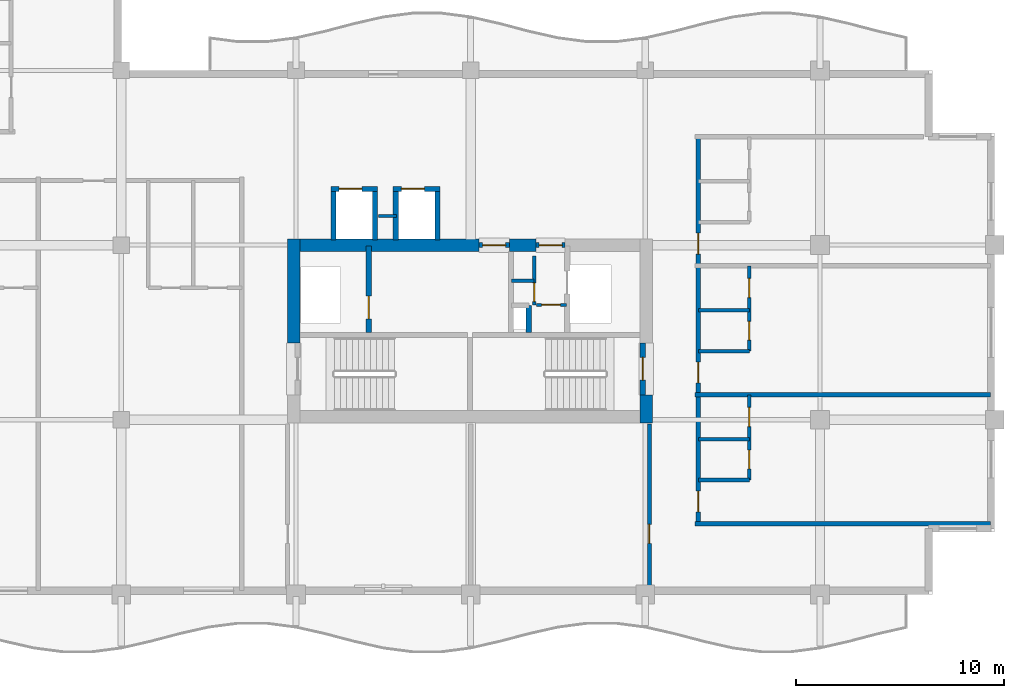
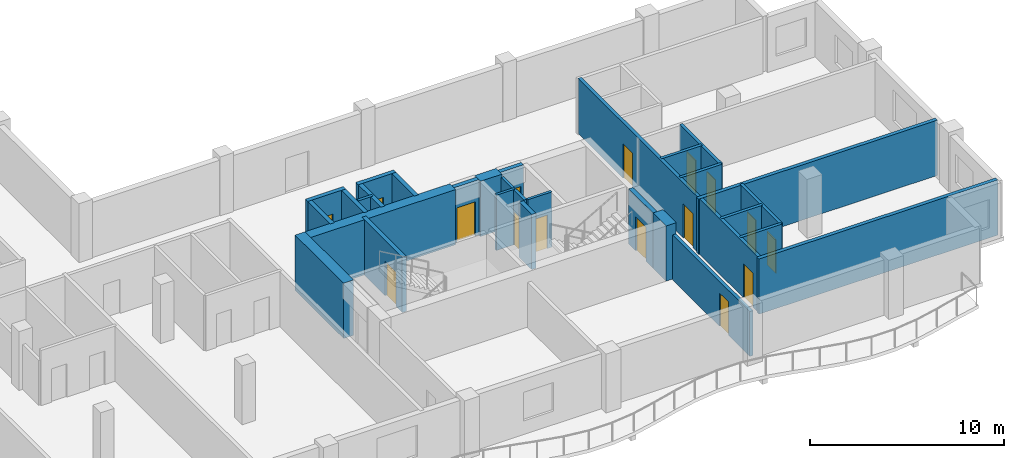
# One storey, part 4 of 12: 29 walls, 16 doors, 16 openings.
"""IFC4 building model written with IfcOpenShell, lengths in metres."""

import ifcopenshell
import ifcopenshell.guid

model = None  # the IFC model being written
_history = None  # IfcOwnerHistory: only IFC2X3 demands one
_inside = {}  # id of a spatial element -> (the spatial element, [elements in it])
_under = {}  # id of a project, library or spatial element -> (it, [spatial elements below it])
_declared = {}  # id of a project -> (the project, [libraries it declares])
_typed = {}  # id of a type object -> (the type object, [elements of that type])
_made_of = {}  # id of a material, layer set ... -> (it, [elements and type objects made of it])


def new_model(schema):
    """Start an empty IFC model of exactly this schema.

    Asked for "IFC4X3", IfcOpenShell would pick the latest addendum, in which some entities
    have other attributes; the version numbers below select the first issue.
    IFC2X3 requires an IfcOwnerHistory on every rooted entity: one is made here for all.
    """
    global model, _history
    if schema == "IFC4X3":
        model = ifcopenshell.file(schema_version=(4, 3, 0, 0))
    else:
        model = ifcopenshell.file(schema=schema)
    _inside.clear()
    _under.clear()
    _declared.clear()
    _typed.clear()
    _made_of.clear()
    _history = None
    if model.schema == "IFC2X3":
        org = make("IfcOrganization", Name="unknown")
        user = make(
            "IfcPersonAndOrganization",
            ThePerson=make("IfcPerson", FamilyName="unknown"),
            TheOrganization=org,
        )
        app = make(
            "IfcApplication",
            ApplicationDeveloper=org,
            Version="unknown",
            ApplicationFullName="unknown",
            ApplicationIdentifier="unknown",
        )
        _history = make(
            "IfcOwnerHistory",
            OwningUser=user,
            OwningApplication=app,
            ChangeAction="ADDED",
            CreationDate=0,
        )
    return model


def make(cls, **values):
    """One entity of the class cls with the attributes given. An attribute that is None is left unset."""
    return model.create_entity(
        cls, **{name: value for name, value in values.items() if value is not None}
    )


def rooted(cls, **values):
    """An entity with a GlobalId (a new one), such as an element, a storey or a relation."""
    return make(cls, GlobalId=ifcopenshell.guid.new(), OwnerHistory=_history, **values)


def si_unit(unit_type, name, prefix=None):
    """IfcSIUnit, for example si_unit("LENGTHUNIT", "METRE", prefix="MILLI")."""
    return make("IfcSIUnit", UnitType=unit_type, Prefix=prefix, Name=name)


def assignment(units):
    """IfcUnitAssignment: the units of a project."""
    return None if units is None else make("IfcUnitAssignment", Units=units)


def point(xyz):
    """IfcCartesianPoint."""
    return None if xyz is None else make("IfcCartesianPoint", Coordinates=xyz)


def direction(xyz):
    """IfcDirection."""
    return None if xyz is None else make("IfcDirection", DirectionRatios=xyz)


def frame(location, z_axis=None, x_axis=None):
    """IfcAxis2Placement3D, a coordinate frame: its origin and axes. An axis left out is left unset."""
    return make(
        "IfcAxis2Placement3D",
        Location=point(location),
        Axis=direction(z_axis),
        RefDirection=direction(x_axis),
    )


def frame_2d(location, x_axis=None):
    """IfcAxis2Placement2D, a coordinate frame in the plane: its origin and x axis."""
    return make(
        "IfcAxis2Placement2D", Location=point(location), RefDirection=direction(x_axis)
    )


def origin():
    """The frame at (0, 0, 0) with its axes left unset."""
    return frame((0.0, 0.0, 0.0))


def place(relative_to, where):
    """IfcLocalPlacement: puts the frame where relative to a parent placement (None: the world)."""
    return make(
        "IfcLocalPlacement", PlacementRelTo=relative_to, RelativePlacement=where
    )


def context(
    kind, dimensions, precision=None, world=None, true_north=None, identifier=None
):
    """IfcGeometricRepresentationContext, for example the 3D "Model" context."""
    return make(
        "IfcGeometricRepresentationContext",
        ContextIdentifier=identifier,
        ContextType=kind,
        CoordinateSpaceDimension=dimensions,
        Precision=precision,
        WorldCoordinateSystem=world,
        TrueNorth=true_north,
    )


def subcontext(parent, identifier, kind, view, scale=None):
    """IfcGeometricRepresentationSubContext, for example "Body" below "Model"."""
    return make(
        "IfcGeometricRepresentationSubContext",
        ContextIdentifier=identifier,
        ContextType=kind,
        ParentContext=parent,
        TargetScale=scale,
        TargetView=view,
    )


def project(units=None, contexts=None):
    """IfcProject with its units and contexts."""
    return rooted(
        "IfcProject",
        Name="project",
        RepresentationContexts=contexts,
        UnitsInContext=assignment(units),
    )


def spatial(cls, under=None, at=None, **own):
    """A site, building, storey or space (cls), placed at a placement, below another one or the project."""
    s = rooted(cls, ObjectPlacement=at, **own)
    if under is not None:
        _under.setdefault(under.id(), (under, []))[1].append(s)
    return s


def profile(cls, at=None, kind="AREA", **sizes):
    """A parametric profile (cls). Its sizes go by their IFC names, for example OverallWidth=200.0."""
    return make(cls, ProfileType=kind, Position=at, **sizes)


def rectangle(**sizes):
    """IfcRectangleProfileDef."""
    return profile("IfcRectangleProfileDef", **sizes)


def extrude(swept, where, along, depth):
    """IfcExtrudedAreaSolid: the profile swept, set in the frame where, extruded along a direction by depth."""
    return make(
        "IfcExtrudedAreaSolid",
        SweptArea=swept,
        Position=where,
        ExtrudedDirection=direction(along),
        Depth=depth,
    )


def shape(context_of_items, identifier, shape_type, items):
    """IfcShapeRepresentation: the items that make up one representation, for example the "Body"."""
    return make(
        "IfcShapeRepresentation",
        ContextOfItems=context_of_items,
        RepresentationIdentifier=identifier,
        RepresentationType=shape_type,
        Items=items,
    )


def material(Name=None, Category=None):
    """IfcMaterial."""
    return make("IfcMaterial", Name=Name, Category=Category)


def layer(
    of_material, thickness, ventilated=None, Name=None, Category=None, Priority=None
):
    """IfcMaterialLayer: one layer of a wall or slab, of a material (None: an air gap)."""
    return make(
        "IfcMaterialLayer",
        Material=of_material,
        LayerThickness=thickness,
        IsVentilated=ventilated,
        Name=Name,
        Category=Category,
        Priority=Priority,
    )


def layer_set(layers, Name=None):
    """IfcMaterialLayerSet."""
    return make("IfcMaterialLayerSet", MaterialLayers=layers, LayerSetName=Name)


def made_of(thing, what):
    """Note that an element or type object is made of a material, layer set ...; save() writes the relation."""
    if what is not None:
        _made_of.setdefault(what.id(), (what, []))[1].append(thing)
    return thing


def type_object(cls, material=None, **own):
    """A type object (cls), such as IfcWallType, which elements share."""
    return made_of(rooted(cls, **own), material)


def element(
    cls,
    number,
    at=None,
    inside=None,
    cuts=None,
    type_object=None,
    material=None,
    context=None,
    identifier="Body",
    shape_type=None,
    held_by="IfcProductDefinitionShape",
    body=None,
    shapes=None,
    **own,
):
    """One element of the class cls, such as IfcWall. Its Tag is "e" and its number.

    at: its placement. inside: the storey or other place that contains it. cuts: it is an
    opening in that element (IfcRelVoidsElement). A single representation is given by context,
    identifier, shape_type and body (its items); several are given by shapes. held_by: the class
    of the entity that holds the representations. save() writes the other relations.
    """
    e = rooted(cls, Tag="e%d" % number, ObjectPlacement=at, **own)
    if body is not None:
        shapes = [shape(context, identifier, shape_type, body)]
    if shapes is not None:
        e.Representation = make(held_by, Representations=shapes)
    if inside is not None:
        _inside.setdefault(inside.id(), (inside, []))[1].append(e)
    if cuts is not None:
        rooted(
            "IfcRelVoidsElement", RelatingBuildingElement=cuts, RelatedOpeningElement=e
        )
    if type_object is not None:
        _typed.setdefault(type_object.id(), (type_object, []))[1].append(e)
    return made_of(e, material)


def fill(opening, filler):
    """IfcRelFillsElement: the door or window that sits in an opening."""
    return rooted(
        "IfcRelFillsElement",
        RelatingOpeningElement=opening,
        RelatedBuildingElement=filler,
    )


def aggregate(whole, parts):
    """IfcRelAggregates: a whole, such as a stair, and the parts it consists of."""
    return rooted("IfcRelAggregates", RelatingObject=whole, RelatedObjects=parts)


def save(model, path):
    """Write the relations noted so far, then the file.

    IfcRelAggregates (storeys below a building ...), IfcRelContainedInSpatialStructure (elements
    in a storey), IfcRelDefinesByType, IfcRelAssociatesMaterial and IfcRelDeclares: one each for
    every whole, place, type object, material and project.
    """
    for whole, parts in _under.values():
        aggregate(whole, parts)
    for where, things in _inside.values():
        rooted(
            "IfcRelContainedInSpatialStructure",
            RelatedElements=things,
            RelatingStructure=where,
        )
    for kind, things in _typed.values():
        rooted("IfcRelDefinesByType", RelatedObjects=things, RelatingType=kind)
    for what, things in _made_of.values():
        rooted("IfcRelAssociatesMaterial", RelatedObjects=things, RelatingMaterial=what)
    for by, libraries in _declared.values():
        rooted("IfcRelDeclares", RelatingContext=by, RelatedDefinitions=libraries)
    model.write(path)


model = new_model("IFC4")

# Units and contexts
model_context = context("Model", 3, precision=1e-05, world=origin(), true_north=direction((0.0, 1.0)))
body_context = subcontext(model_context, "Body", "Model", "MODEL_VIEW")
ifc_project = project(units=[si_unit("LENGTHUNIT", "METRE"), si_unit("AREAUNIT", "SQUARE_METRE"), si_unit("VOLUMEUNIT", "CUBIC_METRE"), si_unit("PLANEANGLEUNIT", "RADIAN"), si_unit("MASSUNIT", "GRAM", prefix="KILO")], contexts=[model_context])

# Site, building, storey
site_placement = place(None, origin())
site = spatial("IfcSite", under=ifc_project, at=site_placement, CompositionType="ELEMENT")
building_placement = place(site_placement, origin())
building = spatial("IfcBuilding", under=site, at=building_placement, Name="Koriwani Terraces Tower", CompositionType="ELEMENT")
storey_placement = place(building_placement, frame((0.0, 0.0, 241.60009765625)))
storey = spatial("IfcBuildingStorey", under=building, at=storey_placement, Name="L59", CompositionType="ELEMENT", Elevation=241.60009765625)

# Walls
ifc_material_1 = material(Name="Concrete C60/75", Category="concrete")
ifc_layer_1 = layer(ifc_material_1, 0.60009765625, Name="Concrete C60/75")
ifc_layer_set_1 = layer_set([ifc_layer_1], Name="Concrete C60/75")
wall_type_1 = type_object("IfcWallType", Name="WALL_CORE_RC_600", PredefinedType="SHEAR", material=ifc_layer_set_1)
wall_1_placement = place(storey_placement, frame((41.89990234375, 20.5, 0.0), z_axis=(0.0, 0.0, 1.0), x_axis=(0.0, 1.0, 0.0)))
element("IfcWall", 1, at=wall_1_placement, inside=storey, type_object=wall_type_1, Name="L59 East Split Core Shear Wall W2", PredefinedType="SHEAR", context=body_context, shape_type="SweptSolid", body=[
    extrude(rectangle(XDim=5.0, YDim=0.60009765625, at=frame_2d((2.5, 0.0))), origin(), (0.0, 0.0, 1.0), 3.469970703125),
])
wall_2_placement = place(storey_placement, frame((58.85009765625, 16.64990234375, 0.0), z_axis=(0.0, 0.0, 1.0), x_axis=(0.0, 1.0, 0.0)))
element("IfcWall", 2, at=wall_2_placement, inside=storey, type_object=wall_type_1, Name="L59 East Split Core Shear Wall E1", PredefinedType="SHEAR", context=body_context, shape_type="SweptSolid", body=[
    extrude(rectangle(XDim=1.35009765625, YDim=0.60009765625, at=frame_2d((0.675048828125, 0.0))), origin(), (0.0, 0.0, 1.0), 3.469970703125),
])
wall_3_placement = place(storey_placement, frame((42.199951171875, 25.199951171875, 0.0), z_axis=(0.0, 0.0, 1.0), x_axis=(1.0, 0.0, 0.0)))
element("IfcWall", 3, at=wall_3_placement, inside=storey, type_object=wall_type_1, Name="L59 East Split Core Shear Wall N1", PredefinedType="SHEAR", context=body_context, shape_type="SweptSolid", body=[
    extrude(rectangle(XDim=8.60009765625, YDim=0.60009765625, at=frame_2d((4.300048828125, 0.0))), origin(), (0.0, 0.0, 1.0), 3.469970703125),
])
wall_4_placement = place(storey_placement, frame((52.280029296875, 25.199951171875, 0.0), z_axis=(0.0, 0.0, 1.0), x_axis=(1.0, 0.0, 0.0)))
element("IfcWall", 4, at=wall_4_placement, inside=storey, type_object=wall_type_1, Name="L59 East Split Core Shear Wall N2", PredefinedType="SHEAR", context=body_context, shape_type="SweptSolid", body=[
    extrude(rectangle(XDim=1.27001953125, YDim=0.60009765625, at=frame_2d((0.635009765625, 0.0))), origin(), (0.0, 0.0, 1.0), 3.469970703125),
])

# Wall, opening, door
ifc_material_2 = material(Name="Autoclaved Cellular Concrete Blockwork", Category="masonry")
ifc_layer_2 = layer(ifc_material_2, 0.199951171875, Name="Autoclaved Cellular Concrete Blockwork")
ifc_layer_set_2 = layer_set([ifc_layer_2], Name="Autoclaved Cellular Concrete Blockwork")
wall_type_2 = type_object("IfcWallType", Name="WALL_CORRIDOR_200", PredefinedType="PARTITIONING", material=ifc_layer_set_2)
wall_5_placement = place(storey_placement, frame((59.0, 8.64990234375, 0.0), z_axis=(0.0, 0.0, 1.0), x_axis=(0.0, 1.0, 0.0)))
wall_5 = element("IfcWall", 5, at=wall_5_placement, inside=storey, type_object=wall_type_2, Name="L59 Interior Wall WRZ4-EE-L59", PredefinedType="PARTITIONING", context=body_context, shape_type="SweptSolid", body=[
    extrude(rectangle(XDim=7.9501953125, YDim=0.199951171875, at=frame_2d((3.97509765625, 0.0))), origin(), (0.0, 0.0, 1.0), 2.81982421875),
])
opening_1_placement = place(wall_5_placement, frame((2.199951171875, 0.0, 0.0)))
opening_1 = element("IfcOpeningElement", 6, at=opening_1_placement, cuts=wall_5, Name="Opening D-06", PredefinedType="OPENING", context=body_context, shape_type="SweptSolid", body=[
    extrude(rectangle(XDim=0.919921875, YDim=2.10009765625, at=frame_2d((0.4599609375, 1.050048828125))), frame((0.0, 0.10986328125, 0.0), z_axis=(0.0, -1.0, 0.0), x_axis=(1.0, 0.0, 0.0)), (0.0, 0.0, 1.0), 0.219970703125),
])
ifc_material_3 = material(Name="Architectural Oak Fire Door", Category="wood")
door_type_1 = type_object("IfcDoorType", Name="DOOR_ROOM_INT_920X2100", OperationType="NOTDEFINED", PredefinedType="DOOR", material=ifc_material_3)
door_1_placement = place(opening_1_placement, origin())
door_1 = element("IfcDoor", 7, at=door_1_placement, inside=storey, type_object=door_type_1, Name="L59 Resident Laundry Room Door", OperationType="SINGLE_SWING_RIGHT", OverallHeight=2.10009765625, OverallWidth=0.919921875, PredefinedType="DOOR", context=body_context, shape_type="SweptSolid", body=[
    extrude(rectangle(XDim=0.919921875, YDim=2.10009765625, at=frame_2d((0.4599609375, 1.050048828125))), frame((0.0, 0.02490234375, 0.0), z_axis=(0.0, -1.0, 0.0), x_axis=(1.0, 0.0, 0.0)), (0.0, 0.0, 1.0), 0.050048828125),
])
fill(opening_1, door_1)

# Wall, openings, doors
wall_6_placement = place(storey_placement, frame((61.35009765625, 11.800048828125, 0.0), z_axis=(0.0, 0.0, 1.0), x_axis=(0.0, 1.0, 0.0)))
wall_6 = element("IfcWall", 8, at=wall_6_placement, inside=storey, type_object=wall_type_2, Name="L59 Interior Wall WRCOR-L59-ETE-0", PredefinedType="PARTITIONING", context=body_context, shape_type="SweptSolid", body=[
    extrude(rectangle(XDim=18.599853515625, YDim=0.199951171875, at=frame_2d((9.2998046875, 0.0))), origin(), (0.0, 0.0, 1.0), 3.469970703125),
])
opening_2_placement = place(wall_6_placement, frame((0.570068359375, 0.0, 0.0)))
opening_2 = element("IfcOpeningElement", 9, at=opening_2_placement, cuts=wall_6, Name="Opening D-05", PredefinedType="OPENING", context=body_context, shape_type="SweptSolid", body=[
    extrude(rectangle(XDim=1.0, YDim=2.14990234375, at=frame_2d((0.5, 1.074951171875))), frame((0.0, 0.10986328125, 0.0), z_axis=(0.0, -1.0, 0.0), x_axis=(1.0, 0.0, 0.0)), (0.0, 0.0, 1.0), 0.219970703125),
])
opening_3_placement = place(wall_6_placement, frame((6.77001953125, 0.0, 0.0)))
opening_3 = element("IfcOpeningElement", 10, at=opening_3_placement, cuts=wall_6, Name="Opening D-05", PredefinedType="OPENING", context=body_context, shape_type="SweptSolid", body=[
    extrude(rectangle(XDim=1.0, YDim=2.14990234375, at=frame_2d((0.5, 1.074951171875))), frame((0.0, 0.10986328125, 0.0), z_axis=(0.0, -1.0, 0.0), x_axis=(1.0, 0.0, 0.0)), (0.0, 0.0, 1.0), 0.219970703125),
])
opening_4_placement = place(wall_6_placement, frame((12.969970703125, 0.0, 0.0)))
opening_4 = element("IfcOpeningElement", 11, at=opening_4_placement, cuts=wall_6, Name="Opening D-05", PredefinedType="OPENING", context=body_context, shape_type="SweptSolid", body=[
    extrude(rectangle(XDim=1.0, YDim=2.14990234375, at=frame_2d((0.5, 1.074951171875))), frame((0.0, 0.10986328125, 0.0), z_axis=(0.0, -1.0, 0.0), x_axis=(1.0, 0.0, 0.0)), (0.0, 0.0, 1.0), 0.219970703125),
])
door_type_2 = type_object("IfcDoorType", Name="DOOR_SUITE_ENTRY_1000X2150", OperationType="NOTDEFINED", PredefinedType="DOOR", material=ifc_material_3)
door_2_placement = place(opening_2_placement, origin())
door_2 = element("IfcDoor", 12, at=door_2_placement, inside=storey, type_object=door_type_2, Name="Apartment 59ETE1 Entrance Door", OperationType="SINGLE_SWING_LEFT", OverallHeight=2.14990234375, OverallWidth=1.0, PredefinedType="DOOR", context=body_context, shape_type="SweptSolid", body=[
    extrude(rectangle(XDim=1.0, YDim=2.14990234375, at=frame_2d((0.5, 1.074951171875))), frame((0.0, 0.02490234375, 0.0), z_axis=(0.0, -1.0, 0.0), x_axis=(1.0, 0.0, 0.0)), (0.0, 0.0, 1.0), 0.050048828125),
])
fill(opening_2, door_2)
door_3_placement = place(opening_3_placement, origin())
door_3 = element("IfcDoor", 13, at=door_3_placement, inside=storey, type_object=door_type_2, Name="Apartment 59ETE2 Entrance Door", OperationType="SINGLE_SWING_RIGHT", OverallHeight=2.14990234375, OverallWidth=1.0, PredefinedType="DOOR", context=body_context, shape_type="SweptSolid", body=[
    extrude(rectangle(XDim=1.0, YDim=2.14990234375, at=frame_2d((0.5, 1.074951171875))), frame((0.0, 0.02490234375, 0.0), z_axis=(0.0, -1.0, 0.0), x_axis=(1.0, 0.0, 0.0)), (0.0, 0.0, 1.0), 0.050048828125),
])
fill(opening_3, door_3)
door_4_placement = place(opening_4_placement, origin())
door_4 = element("IfcDoor", 14, at=door_4_placement, inside=storey, type_object=door_type_2, Name="Apartment 59ETE3 Entrance Door", OperationType="SINGLE_SWING_LEFT", OverallHeight=2.14990234375, OverallWidth=1.0, PredefinedType="DOOR", context=body_context, shape_type="SweptSolid", body=[
    extrude(rectangle(XDim=1.0, YDim=2.14990234375, at=frame_2d((0.5, 1.074951171875))), frame((0.0, 0.02490234375, 0.0), z_axis=(0.0, -1.0, 0.0), x_axis=(1.0, 0.0, 0.0)), (0.0, 0.0, 1.0), 0.050048828125),
])
fill(opening_4, door_4)

# Walls
ifc_layer_3 = layer(ifc_material_2, 0.219970703125, Name="Autoclaved Cellular Concrete Blockwork")
ifc_layer_set_3 = layer_set([ifc_layer_3], Name="Autoclaved Cellular Concrete Blockwork")
wall_type_3 = type_object("IfcWallType", Name="WALL_DEMISING_220", PredefinedType="PARTITIONING", material=ifc_layer_set_3)
for number, where, z_axis, x_axis, name in (
    (15, (61.199951171875, 11.800048828125, 0.0), (0.0, 0.0, 1.0), (1.0, 0.0, 0.0), "L59 Interior Wall WRDEM-L59-ETE-0"),
    (16, (61.199951171875, 18.0, 0.0), (0.0, 0.0, 1.0), (1.0, 0.0, 0.0), "L59 Interior Wall WRDEM-L59-ETE-1"),
):
    element("IfcWall", number, at=place(storey_placement, frame(where, z_axis=z_axis, x_axis=x_axis)), inside=storey, type_object=wall_type_3, Name=name, PredefinedType="PARTITIONING", context=body_context, shape_type="SweptSolid", body=[
        extrude(rectangle(XDim=14.199951171875, YDim=0.219970703125, at=frame_2d((7.10009765625, 0.0))), origin(), (0.0, 0.0, 1.0), 3.469970703125),
    ])

# Wall, openings, doors
ifc_material_4 = material(Name="Fire-Rated Acoustic Gypsum Partition", Category="masonry")
ifc_layer_4 = layer(ifc_material_4, 0.179931640625, Name="Fire-Rated Acoustic Gypsum Partition")
ifc_layer_set_4 = layer_set([ifc_layer_4], Name="Fire-Rated Acoustic Gypsum Partition")
wall_type_4 = type_object("IfcWallType", Name="WALL_PLUMBING_180", PredefinedType="PLUMBINGWALL", material=ifc_layer_set_4)
wall_7_placement = place(storey_placement, frame((63.800048828125, 13.89990234375, 0.0), z_axis=(0.0, 0.0, 1.0), x_axis=(0.0, 1.0, 0.0)))
wall_7 = element("IfcWall", 17, at=wall_7_placement, inside=storey, type_object=wall_type_4, Name="L59 Interior Wall WRSVC-L59-ETE-0", PredefinedType="PLUMBINGWALL", context=body_context, shape_type="SweptSolid", body=[
    extrude(rectangle(XDim=4.10009765625, YDim=0.179931640625, at=frame_2d((2.050048828125, 0.0))), origin(), (0.0, 0.0, 1.0), 3.469970703125),
])
opening_5_placement = place(wall_7_placement, frame((0.533935546875, 0.0, 0.0)))
opening_5 = element("IfcOpeningElement", 18, at=opening_5_placement, cuts=wall_7, Name="Opening D-07", PredefinedType="OPENING", context=body_context, shape_type="SweptSolid", body=[
    extrude(rectangle(XDim=0.89990234375, YDim=2.10009765625, at=frame_2d((0.449951171875, 1.050048828125))), frame((0.0, 0.10009765625, 0.0), z_axis=(0.0, -1.0, 0.0), x_axis=(1.0, 0.0, 0.0)), (0.0, 0.0, 1.0), 0.199951171875),
])
opening_6_placement = place(wall_7_placement, frame((2.573974609375, 0.0, 0.0)))
opening_6 = element("IfcOpeningElement", 19, at=opening_6_placement, cuts=wall_7, Name="Opening D-06", PredefinedType="OPENING", context=body_context, shape_type="SweptSolid", body=[
    extrude(rectangle(XDim=0.919921875, YDim=2.10009765625, at=frame_2d((0.4599609375, 1.050048828125))), frame((0.0, 0.10009765625, 0.0), z_axis=(0.0, -1.0, 0.0), x_axis=(1.0, 0.0, 0.0)), (0.0, 0.0, 1.0), 0.199951171875),
])
door_type_3 = type_object("IfcDoorType", Name="DOOR_BATH_INT_900X2100", OperationType="NOTDEFINED", PredefinedType="DOOR", material=ifc_material_3)
door_5_placement = place(opening_5_placement, origin())
door_5 = element("IfcDoor", 20, at=door_5_placement, inside=storey, type_object=door_type_3, Name="Apartment 59ETE1 Bathroom Door", OperationType="SINGLE_SWING_RIGHT", OverallHeight=2.10009765625, OverallWidth=0.89990234375, PredefinedType="DOOR", context=body_context, shape_type="SweptSolid", body=[
    extrude(rectangle(XDim=0.89990234375, YDim=2.10009765625, at=frame_2d((0.449951171875, 1.050048828125))), frame((0.0, 0.02490234375, 0.0), z_axis=(0.0, -1.0, 0.0), x_axis=(1.0, 0.0, 0.0)), (0.0, 0.0, 1.0), 0.050048828125),
])
fill(opening_5, door_5)
door_6_placement = place(opening_6_placement, origin())
door_6 = element("IfcDoor", 21, at=door_6_placement, inside=storey, type_object=door_type_1, Name="Apartment 59ETE1 Kitchen Door", OperationType="SINGLE_SWING_LEFT", OverallHeight=2.10009765625, OverallWidth=0.919921875, PredefinedType="DOOR", context=body_context, shape_type="SweptSolid", body=[
    extrude(rectangle(XDim=0.919921875, YDim=2.10009765625, at=frame_2d((0.4599609375, 1.050048828125))), frame((0.0, 0.02490234375, 0.0), z_axis=(0.0, -1.0, 0.0), x_axis=(1.0, 0.0, 0.0)), (0.0, 0.0, 1.0), 0.050048828125),
])
fill(opening_6, door_6)

# Walls
for number, where, z_axis, x_axis, name in (
    (22, (61.35009765625, 13.89990234375, 0.0), (0.0, 0.0, 1.0), (1.0, 0.0, 0.0), "L59 Interior Wall WRSVCS-L59-ETE-0"),
    (23, (61.35009765625, 15.867919921875, 0.0), (0.0, 0.0, 1.0), (1.0, 0.0, 0.0), "L59 Interior Wall WRSVCM-L59-ETE-0"),
):
    element("IfcWall", number, at=place(storey_placement, frame(where, z_axis=z_axis, x_axis=x_axis)), inside=storey, type_object=wall_type_4, Name=name, PredefinedType="PLUMBINGWALL", context=body_context, shape_type="SweptSolid", body=[
        extrude(rectangle(XDim=2.449951171875, YDim=0.179931640625, at=frame_2d((1.22509765625, 0.0))), origin(), (0.0, 0.0, 1.0), 3.469970703125),
    ])

# Wall, openings, doors
wall_8_placement = place(storey_placement, frame((63.800048828125, 20.10009765625, 0.0), z_axis=(0.0, 0.0, 1.0), x_axis=(0.0, 1.0, 0.0)))
wall_8 = element("IfcWall", 24, at=wall_8_placement, inside=storey, type_object=wall_type_4, Name="L59 Interior Wall WRSVC-L59-ETE-1", PredefinedType="PLUMBINGWALL", context=body_context, shape_type="SweptSolid", body=[
    extrude(rectangle(XDim=4.099853515625, YDim=0.179931640625, at=frame_2d((2.0498046875, 0.0))), origin(), (0.0, 0.0, 1.0), 3.469970703125),
])
opening_7_placement = place(wall_8_placement, frame((0.533935546875, 0.0, 0.0)))
opening_7 = element("IfcOpeningElement", 25, at=opening_7_placement, cuts=wall_8, Name="Opening D-07", PredefinedType="OPENING", context=body_context, shape_type="SweptSolid", body=[
    extrude(rectangle(XDim=0.89990234375, YDim=2.10009765625, at=frame_2d((0.449951171875, 1.050048828125))), frame((0.0, 0.10009765625, 0.0), z_axis=(0.0, -1.0, 0.0), x_axis=(1.0, 0.0, 0.0)), (0.0, 0.0, 1.0), 0.199951171875),
])
opening_8_placement = place(wall_8_placement, frame((2.573974609375, 0.0, 0.0)))
opening_8 = element("IfcOpeningElement", 26, at=opening_8_placement, cuts=wall_8, Name="Opening D-06", PredefinedType="OPENING", context=body_context, shape_type="SweptSolid", body=[
    extrude(rectangle(XDim=0.919921875, YDim=2.10009765625, at=frame_2d((0.4599609375, 1.050048828125))), frame((0.0, 0.10009765625, 0.0), z_axis=(0.0, -1.0, 0.0), x_axis=(1.0, 0.0, 0.0)), (0.0, 0.0, 1.0), 0.199951171875),
])
door_7_placement = place(opening_7_placement, origin())
door_7 = element("IfcDoor", 27, at=door_7_placement, inside=storey, type_object=door_type_3, Name="Apartment 59ETE2 Bathroom Door", OperationType="SINGLE_SWING_LEFT", OverallHeight=2.10009765625, OverallWidth=0.89990234375, PredefinedType="DOOR", context=body_context, shape_type="SweptSolid", body=[
    extrude(rectangle(XDim=0.89990234375, YDim=2.10009765625, at=frame_2d((0.449951171875, 1.050048828125))), frame((0.0, 0.02490234375, 0.0), z_axis=(0.0, -1.0, 0.0), x_axis=(1.0, 0.0, 0.0)), (0.0, 0.0, 1.0), 0.050048828125),
])
fill(opening_7, door_7)
door_8_placement = place(opening_8_placement, origin())
door_8 = element("IfcDoor", 28, at=door_8_placement, inside=storey, type_object=door_type_1, Name="Apartment 59ETE2 Kitchen Door", OperationType="SINGLE_SWING_RIGHT", OverallHeight=2.10009765625, OverallWidth=0.919921875, PredefinedType="DOOR", context=body_context, shape_type="SweptSolid", body=[
    extrude(rectangle(XDim=0.919921875, YDim=2.10009765625, at=frame_2d((0.4599609375, 1.050048828125))), frame((0.0, 0.02490234375, 0.0), z_axis=(0.0, -1.0, 0.0), x_axis=(1.0, 0.0, 0.0)), (0.0, 0.0, 1.0), 0.050048828125),
])
fill(opening_8, door_8)

# Walls
for number, where, z_axis, x_axis, name in (
    (29, (61.35009765625, 20.10009765625, 0.0), (0.0, 0.0, 1.0), (1.0, 0.0, 0.0), "L59 Interior Wall WRSVCS-L59-ETE-1"),
    (30, (61.35009765625, 22.068115234375, 0.0), (0.0, 0.0, 1.0), (1.0, 0.0, 0.0), "L59 Interior Wall WRSVCM-L59-ETE-1"),
):
    element("IfcWall", number, at=place(storey_placement, frame(where, z_axis=z_axis, x_axis=x_axis)), inside=storey, type_object=wall_type_4, Name=name, PredefinedType="PLUMBINGWALL", context=body_context, shape_type="SweptSolid", body=[
        extrude(rectangle(XDim=2.449951171875, YDim=0.179931640625, at=frame_2d((1.22509765625, 0.0))), origin(), (0.0, 0.0, 1.0), 3.469970703125),
    ])

# Wall, opening, door
ifc_material_5 = material(Name="Concrete C40/50", Category="concrete")
ifc_layer_5 = layer(ifc_material_5, 0.25, Name="Concrete C40/50")
ifc_layer_set_5 = layer_set([ifc_layer_5], Name="Concrete C40/50")
wall_type_5 = type_object("IfcWallType", Name="WALL_SHAFT_RATED_250", PredefinedType="SOLIDWALL", material=ifc_layer_set_5)
wall_9_placement = place(storey_placement, frame((58.675048828125, 18.0, 0.0), z_axis=(0.0, 0.0, 1.0), x_axis=(0.0, 1.0, 0.0)))
wall_9 = element("IfcWall", 31, at=wall_9_placement, inside=storey, type_object=wall_type_5, Name="L59 Interior Wall WIN-CE-L59-STE", PredefinedType="SOLIDWALL", context=body_context, shape_type="SweptSolid", body=[
    extrude(rectangle(XDim=2.5, YDim=0.25, at=frame_2d((1.25, 0.0))), origin(), (0.0, 0.0, 1.0), 3.469970703125),
])
opening_9_placement = place(wall_9_placement, frame((0.699951171875, 0.0, 0.0)))
opening_9 = element("IfcOpeningElement", 32, at=opening_9_placement, cuts=wall_9, Name="Opening D-03", PredefinedType="OPENING", context=body_context, shape_type="SweptSolid", body=[
    extrude(rectangle(XDim=1.10009765625, YDim=2.14990234375, at=frame_2d((0.550048828125, 1.074951171875))), frame((0.0, 0.135009765625, 0.0), z_axis=(0.0, -1.0, 0.0), x_axis=(1.0, 0.0, 0.0)), (0.0, 0.0, 1.0), 0.27001953125),
])
ifc_material_6 = material(Name="Steel ASTM A572 Grade 50", Category="steel")
door_type_4 = type_object("IfcDoorType", Name="DOOR_STAIR_FIRE_1100X2150", OperationType="NOTDEFINED", PredefinedType="DOOR", material=ifc_material_6)
door_9_placement = place(opening_9_placement, origin())
door_9 = element("IfcDoor", 33, at=door_9_placement, inside=storey, type_object=door_type_4, Name="L59 Exit Stair ST-E2 Door", OperationType="SINGLE_SWING_LEFT", OverallHeight=2.14990234375, OverallWidth=1.10009765625, PredefinedType="DOOR", context=body_context, shape_type="SweptSolid", body=[
    extrude(rectangle(XDim=1.10009765625, YDim=2.14990234375, at=frame_2d((0.550048828125, 1.074951171875))), frame((0.0, 0.02490234375, 0.0), z_axis=(0.0, -1.0, 0.0), x_axis=(1.0, 0.0, 0.0)), (0.0, 0.0, 1.0), 0.050048828125),
])
fill(opening_9, door_9)

wall_10_placement = place(storey_placement, frame((45.5, 21.0, 0.0), z_axis=(0.0, 0.0, 1.0), x_axis=(0.0, 1.0, 0.0)))
wall_10 = element("IfcWall", 34, at=wall_10_placement, inside=storey, type_object=wall_type_5, Name="L59 Interior Wall WIN-CE-L59-FE", PredefinedType="SOLIDWALL", context=body_context, shape_type="SweptSolid", body=[
    extrude(rectangle(XDim=4.14990234375, YDim=0.25, at=frame_2d((2.074951171875, 0.0))), origin(), (0.0, 0.0, 1.0), 3.469970703125),
])
opening_10_placement = place(wall_10_placement, frame((0.64990234375, 0.0, 0.0)))
opening_10 = element("IfcOpeningElement", 35, at=opening_10_placement, cuts=wall_10, Name="Opening LD-01", PredefinedType="OPENING", context=body_context, shape_type="SweptSolid", body=[
    extrude(rectangle(XDim=1.10009765625, YDim=2.14990234375, at=frame_2d((0.550048828125, 1.074951171875))), frame((0.0, 0.135009765625, 0.0), z_axis=(0.0, -1.0, 0.0), x_axis=(1.0, 0.0, 0.0)), (0.0, 0.0, 1.0), 0.27001953125),
])
door_type_5 = type_object("IfcDoorType", Name="DOOR_LIFT_LANDING_1100X2200", OperationType="NOTDEFINED", PredefinedType="DOOR", material=ifc_material_6)
door_10_placement = place(opening_10_placement, origin())
door_10 = element("IfcDoor", 36, at=door_10_placement, inside=storey, type_object=door_type_5, Name="L59 Firefighting Lift FE-02 Landing Door", OperationType="SLIDING_TO_LEFT", OverallHeight=2.14990234375, OverallWidth=1.10009765625, PredefinedType="DOOR", context=body_context, shape_type="SweptSolid", body=[
    extrude(rectangle(XDim=1.10009765625, YDim=2.14990234375, at=frame_2d((0.550048828125, 1.074951171875))), frame((0.0, 0.02490234375, 0.0), z_axis=(0.0, -1.0, 0.0), x_axis=(1.0, 0.0, 0.0)), (0.0, 0.0, 1.0), 0.050048828125),
])
fill(opening_10, door_10)

wall_11_placement = place(storey_placement, frame((50.800048828125, 25.199951171875, 0.0), z_axis=(0.0, 0.0, 1.0), x_axis=(1.0, 0.0, 0.0)))
wall_11 = element("IfcWall", 37, at=wall_11_placement, inside=storey, type_object=wall_type_5, Name="L59 Interior Wall WIN-CE-L59-NP", PredefinedType="SOLIDWALL", context=body_context, shape_type="SweptSolid", body=[
    extrude(rectangle(XDim=1.47998046875, YDim=0.25, at=frame_2d((0.739990234375, 0.0))), origin(), (0.0, 0.0, 1.0), 3.469970703125),
])
opening_11_placement = place(wall_11_placement, frame((0.179931640625, 0.0, 0.0)))
opening_11 = element("IfcOpeningElement", 38, at=opening_11_placement, cuts=wall_11, Name="Opening D-03", PredefinedType="OPENING", context=body_context, shape_type="SweptSolid", body=[
    extrude(rectangle(XDim=1.10009765625, YDim=2.14990234375, at=frame_2d((0.550048828125, 1.074951171875))), frame((0.0, 0.135009765625, 0.0), z_axis=(0.0, -1.0, 0.0), x_axis=(1.0, 0.0, 0.0)), (0.0, 0.0, 1.0), 0.27001953125),
])
door_11_placement = place(opening_11_placement, origin())
door_11 = element("IfcDoor", 39, at=door_11_placement, inside=storey, type_object=door_type_4, Name="L59 East Firefighting Lobby Door", OperationType="SINGLE_SWING_RIGHT", OverallHeight=2.14990234375, OverallWidth=1.10009765625, PredefinedType="DOOR", context=body_context, shape_type="SweptSolid", body=[
    extrude(rectangle(XDim=1.10009765625, YDim=2.14990234375, at=frame_2d((0.550048828125, 1.074951171875))), frame((0.0, 0.02490234375, 0.0), z_axis=(0.0, -1.0, 0.0), x_axis=(1.0, 0.0, 0.0)), (0.0, 0.0, 1.0), 0.050048828125),
])
fill(opening_11, door_11)

wall_12_placement = place(storey_placement, frame((53.550048828125, 25.199951171875, 0.0), z_axis=(0.0, 0.0, 1.0), x_axis=(1.0, 0.0, 0.0)))
wall_12 = element("IfcWall", 40, at=wall_12_placement, inside=storey, type_object=wall_type_5, Name="L59 Interior Wall WIN-CE-L59-NP2", PredefinedType="SOLIDWALL", context=body_context, shape_type="SweptSolid", body=[
    extrude(rectangle(XDim=1.39990234375, YDim=0.25, at=frame_2d((0.699951171875, 0.0))), origin(), (0.0, 0.0, 1.0), 3.469970703125),
])
opening_12_placement = place(wall_12_placement, frame((0.14990234375, 0.0, 0.0)))
opening_12 = element("IfcOpeningElement", 41, at=opening_12_placement, cuts=wall_12, Name="Opening D-03", PredefinedType="OPENING", context=body_context, shape_type="SweptSolid", body=[
    extrude(rectangle(XDim=1.10009765625, YDim=2.14990234375, at=frame_2d((0.550048828125, 1.074951171875))), frame((0.0, 0.135009765625, 0.0), z_axis=(0.0, -1.0, 0.0), x_axis=(1.0, 0.0, 0.0)), (0.0, 0.0, 1.0), 0.27001953125),
])
door_12_placement = place(opening_12_placement, origin())
door_12 = element("IfcDoor", 42, at=door_12_placement, inside=storey, type_object=door_type_4, Name="L59 East Goods Lift Lobby Door", OperationType="SINGLE_SWING_LEFT", OverallHeight=2.14990234375, OverallWidth=1.10009765625, PredefinedType="DOOR", context=body_context, shape_type="SweptSolid", body=[
    extrude(rectangle(XDim=1.10009765625, YDim=2.14990234375, at=frame_2d((0.550048828125, 1.074951171875))), frame((0.0, 0.02490234375, 0.0), z_axis=(0.0, -1.0, 0.0), x_axis=(1.0, 0.0, 0.0)), (0.0, 0.0, 1.0), 0.050048828125),
])
fill(opening_12, door_12)

# Wall
wall_13_placement = place(storey_placement, frame((53.199951171875, 21.0, 0.0), z_axis=(0.0, 0.0, 1.0), x_axis=(0.0, 1.0, 0.0)))
element("IfcWall", 43, at=wall_13_placement, inside=storey, type_object=wall_type_5, Name="L59 Interior Wall WIN-CE-L59-RS1", PredefinedType="SOLIDWALL", context=body_context, shape_type="SweptSolid", body=[
    extrude(rectangle(XDim=1.300048828125, YDim=0.25, at=frame_2d((0.64990234375, 0.0))), origin(), (0.0, 0.0, 1.0), 3.469970703125),
])

# Wall, opening, door
wall_14_placement = place(storey_placement, frame((43.675048828125, 27.89990234375, 0.0), z_axis=(0.0, 0.0, 1.0), x_axis=(1.0, 0.0, 0.0)))
wall_14 = element("IfcWall", 44, at=wall_14_placement, inside=storey, type_object=wall_type_5, Name="L59 Interior Wall WIN-LF-PE-H3-L59-F", PredefinedType="SOLIDWALL", context=body_context, shape_type="SweptSolid", body=[
    extrude(rectangle(XDim=2.25, YDim=0.25, at=frame_2d((1.125, 0.0))), origin(), (0.0, 0.0, 1.0), 3.469970703125),
])
opening_13_placement = place(wall_14_placement, frame((0.39990234375, 0.0, 0.0)))
opening_13 = element("IfcOpeningElement", 45, at=opening_13_placement, cuts=wall_14, Name="Opening LD-01", PredefinedType="OPENING", context=body_context, shape_type="SweptSolid", body=[
    extrude(rectangle(XDim=1.10009765625, YDim=2.14990234375, at=frame_2d((0.550048828125, 1.074951171875))), frame((0.0, 0.135009765625, 0.0), z_axis=(0.0, -1.0, 0.0), x_axis=(1.0, 0.0, 0.0)), (0.0, 0.0, 1.0), 0.27001953125),
])
door_13_placement = place(opening_13_placement, origin())
door_13 = element("IfcDoor", 46, at=door_13_placement, inside=storey, type_object=door_type_5, Name="L59 Passenger Lift PE-H3 Landing Door", OperationType="SLIDING_TO_LEFT", OverallHeight=2.14990234375, OverallWidth=1.10009765625, PredefinedType="DOOR", context=body_context, shape_type="SweptSolid", body=[
    extrude(rectangle(XDim=1.10009765625, YDim=2.14990234375, at=frame_2d((0.550048828125, 1.074951171875))), frame((0.0, 0.02490234375, 0.0), z_axis=(0.0, -1.0, 0.0), x_axis=(1.0, 0.0, 0.0)), (0.0, 0.0, 1.0), 0.050048828125),
])
fill(opening_13, door_13)

# Walls
for number, where, z_axis, x_axis, name in (
    (47, (43.800048828125, 25.449951171875, 0.0), (0.0, 0.0, 1.0), (0.0, 1.0, 0.0), "L59 Interior Wall WIN-LF-PE-H3-L59-W"),
    (48, (45.800048828125, 25.449951171875, 0.0), (0.0, 0.0, 1.0), (0.0, 1.0, 0.0), "L59 Interior Wall WIN-LF-PE-H3-L59-E"),
):
    element("IfcWall", number, at=place(storey_placement, frame(where, z_axis=z_axis, x_axis=x_axis)), inside=storey, type_object=wall_type_5, Name=name, PredefinedType="SOLIDWALL", context=body_context, shape_type="SweptSolid", body=[
        extrude(rectangle(XDim=2.324951171875, YDim=0.25, at=frame_2d((1.16259765625, 0.0))), origin(), (0.0, 0.0, 1.0), 3.469970703125),
    ])

# Wall, opening, door
wall_15_placement = place(storey_placement, frame((46.675048828125, 27.89990234375, 0.0), z_axis=(0.0, 0.0, 1.0), x_axis=(1.0, 0.0, 0.0)))
wall_15 = element("IfcWall", 49, at=wall_15_placement, inside=storey, type_object=wall_type_5, Name="L59 Interior Wall WIN-LF-PE-H4-L59-F", PredefinedType="SOLIDWALL", context=body_context, shape_type="SweptSolid", body=[
    extrude(rectangle(XDim=2.25, YDim=0.25, at=frame_2d((1.125, 0.0))), origin(), (0.0, 0.0, 1.0), 3.469970703125),
])
opening_14_placement = place(wall_15_placement, frame((0.39990234375, 0.0, 0.0)))
opening_14 = element("IfcOpeningElement", 50, at=opening_14_placement, cuts=wall_15, Name="Opening LD-01", PredefinedType="OPENING", context=body_context, shape_type="SweptSolid", body=[
    extrude(rectangle(XDim=1.10009765625, YDim=2.14990234375, at=frame_2d((0.550048828125, 1.074951171875))), frame((0.0, 0.135009765625, 0.0), z_axis=(0.0, -1.0, 0.0), x_axis=(1.0, 0.0, 0.0)), (0.0, 0.0, 1.0), 0.27001953125),
])
door_14_placement = place(opening_14_placement, origin())
door_14 = element("IfcDoor", 51, at=door_14_placement, inside=storey, type_object=door_type_5, Name="L59 Passenger Lift PE-H4 Landing Door", OperationType="SLIDING_TO_LEFT", OverallHeight=2.14990234375, OverallWidth=1.10009765625, PredefinedType="DOOR", context=body_context, shape_type="SweptSolid", body=[
    extrude(rectangle(XDim=1.10009765625, YDim=2.14990234375, at=frame_2d((0.550048828125, 1.074951171875))), frame((0.0, 0.02490234375, 0.0), z_axis=(0.0, -1.0, 0.0), x_axis=(1.0, 0.0, 0.0)), (0.0, 0.0, 1.0), 0.050048828125),
])
fill(opening_14, door_14)

# Walls
for number, where, z_axis, x_axis, name in (
    (52, (46.800048828125, 25.449951171875, 0.0), (0.0, 0.0, 1.0), (0.0, 1.0, 0.0), "L59 Interior Wall WIN-LF-PE-H4-L59-W"),
    (53, (48.800048828125, 25.449951171875, 0.0), (0.0, 0.0, 1.0), (0.0, 1.0, 0.0), "L59 Interior Wall WIN-LF-PE-H4-L59-E"),
):
    element("IfcWall", number, at=place(storey_placement, frame(where, z_axis=z_axis, x_axis=x_axis)), inside=storey, type_object=wall_type_5, Name=name, PredefinedType="SOLIDWALL", context=body_context, shape_type="SweptSolid", body=[
        extrude(rectangle(XDim=2.324951171875, YDim=0.25, at=frame_2d((1.16259765625, 0.0))), origin(), (0.0, 0.0, 1.0), 3.469970703125),
    ])

# Wall, opening, door
ifc_layer_6 = layer(ifc_material_4, 0.159912109375, Name="Fire-Rated Acoustic Gypsum Partition")
ifc_layer_set_6 = layer_set([ifc_layer_6], Name="Fire-Rated Acoustic Gypsum Partition")
wall_type_6 = type_object("IfcWallType", Name="WALL_SUITE_160", PredefinedType="PARTITIONING", material=ifc_layer_set_6)
wall_16_placement = place(storey_placement, frame((53.56005859375, 22.320068359375, 0.0), z_axis=(0.0, 0.0, 1.0), x_axis=(1.0, 0.0, 0.0)))
wall_16 = element("IfcWall", 54, at=wall_16_placement, inside=storey, type_object=wall_type_6, Name="L59 Interior Wall WIN-CE-L59-SV2A", PredefinedType="PARTITIONING", context=body_context, shape_type="SweptSolid", body=[
    extrude(rectangle(XDim=1.43994140625, YDim=0.159912109375, at=frame_2d((0.719970703125, 0.0))), origin(), (0.0, 0.0, 1.0), 3.469970703125),
])
opening_15_placement = place(wall_16_placement, frame((0.260009765625, 0.0, 0.0)))
opening_15 = element("IfcOpeningElement", 55, at=opening_15_placement, cuts=wall_16, Name="Opening D-07", PredefinedType="OPENING", context=body_context, shape_type="SweptSolid", body=[
    extrude(rectangle(XDim=0.89990234375, YDim=2.10009765625, at=frame_2d((0.449951171875, 1.050048828125))), frame((0.0, 0.08984375, 0.0), z_axis=(0.0, -1.0, 0.0), x_axis=(1.0, 0.0, 0.0)), (0.0, 0.0, 1.0), 0.179931640625),
])
door_15_placement = place(opening_15_placement, origin())
door_15 = element("IfcDoor", 56, at=door_15_placement, inside=storey, type_object=door_type_3, Name="L59 East Meter Room Door", OperationType="SINGLE_SWING_RIGHT", OverallHeight=2.10009765625, OverallWidth=0.89990234375, PredefinedType="DOOR", context=body_context, shape_type="SweptSolid", body=[
    extrude(rectangle(XDim=0.89990234375, YDim=2.10009765625, at=frame_2d((0.449951171875, 1.050048828125))), frame((0.0, 0.02490234375, 0.0), z_axis=(0.0, -1.0, 0.0), x_axis=(1.0, 0.0, 0.0)), (0.0, 0.0, 1.0), 0.050048828125),
])
fill(opening_15, door_15)

wall_17_placement = place(storey_placement, frame((53.4599609375, 22.320068359375, 0.0), z_axis=(0.0, 0.0, 1.0), x_axis=(0.0, 1.0, 0.0)))
wall_17 = element("IfcWall", 57, at=wall_17_placement, inside=storey, type_object=wall_type_6, Name="L59 Interior Wall WIN-CE-L59-SV2H", PredefinedType="PARTITIONING", context=body_context, shape_type="SweptSolid", body=[
    extrude(rectangle(XDim=2.35986328125, YDim=0.159912109375, at=frame_2d((1.179931640625, 0.0))), origin(), (0.0, 0.0, 1.0), 3.469970703125),
])
opening_16_placement = place(wall_17_placement, frame((0.159912109375, 0.0, 0.0)))
opening_16 = element("IfcOpeningElement", 58, at=opening_16_placement, cuts=wall_17, Name="Opening D-07", PredefinedType="OPENING", context=body_context, shape_type="SweptSolid", body=[
    extrude(rectangle(XDim=0.89990234375, YDim=2.10009765625, at=frame_2d((0.449951171875, 1.050048828125))), frame((0.0, 0.08984375, 0.0), z_axis=(0.0, -1.0, 0.0), x_axis=(1.0, 0.0, 0.0)), (0.0, 0.0, 1.0), 0.179931640625),
])
door_16_placement = place(opening_16_placement, origin())
door_16 = element("IfcDoor", 59, at=door_16_placement, inside=storey, type_object=door_type_3, Name="L59 East Valve Room Door", OperationType="SINGLE_SWING_LEFT", OverallHeight=2.10009765625, OverallWidth=0.89990234375, PredefinedType="DOOR", context=body_context, shape_type="SweptSolid", body=[
    extrude(rectangle(XDim=0.89990234375, YDim=2.10009765625, at=frame_2d((0.449951171875, 1.050048828125))), frame((0.0, 0.02490234375, 0.0), z_axis=(0.0, -1.0, 0.0), x_axis=(1.0, 0.0, 0.0)), (0.0, 0.0, 1.0), 0.050048828125),
])
fill(opening_16, door_16)

# Walls
wall_18_placement = place(storey_placement, frame((52.360107421875, 23.47998046875, 0.0), z_axis=(0.0, 0.0, 1.0), x_axis=(1.0, 0.0, 0.0)))
element("IfcWall", 60, at=wall_18_placement, inside=storey, type_object=wall_type_6, Name="L59 Interior Wall WIN-CE-L59-SV2V", PredefinedType="PARTITIONING", context=body_context, shape_type="SweptSolid", body=[
    extrude(rectangle(XDim=1.099853515625, YDim=0.159912109375, at=frame_2d((0.5498046875, 0.0))), origin(), (0.0, 0.0, 1.0), 3.469970703125),
])
wall_19_placement = place(storey_placement, frame((45.9599609375, 26.60009765625, 0.0), z_axis=(0.0, 0.0, 1.0), x_axis=(1.0, 0.0, 0.0)))
element("IfcWall", 61, at=wall_19_placement, inside=storey, type_object=wall_type_6, Name="L59 Interior Wall WIN-LF-PEH34-MID-L59", PredefinedType="PARTITIONING", context=body_context, shape_type="SweptSolid", body=[
    extrude(rectangle(XDim=0.880126953125, YDim=0.159912109375, at=frame_2d((0.43994140625, 0.0))), origin(), (0.0, 0.0, 1.0), 3.469970703125),
])

save(model, "model.ifc")
